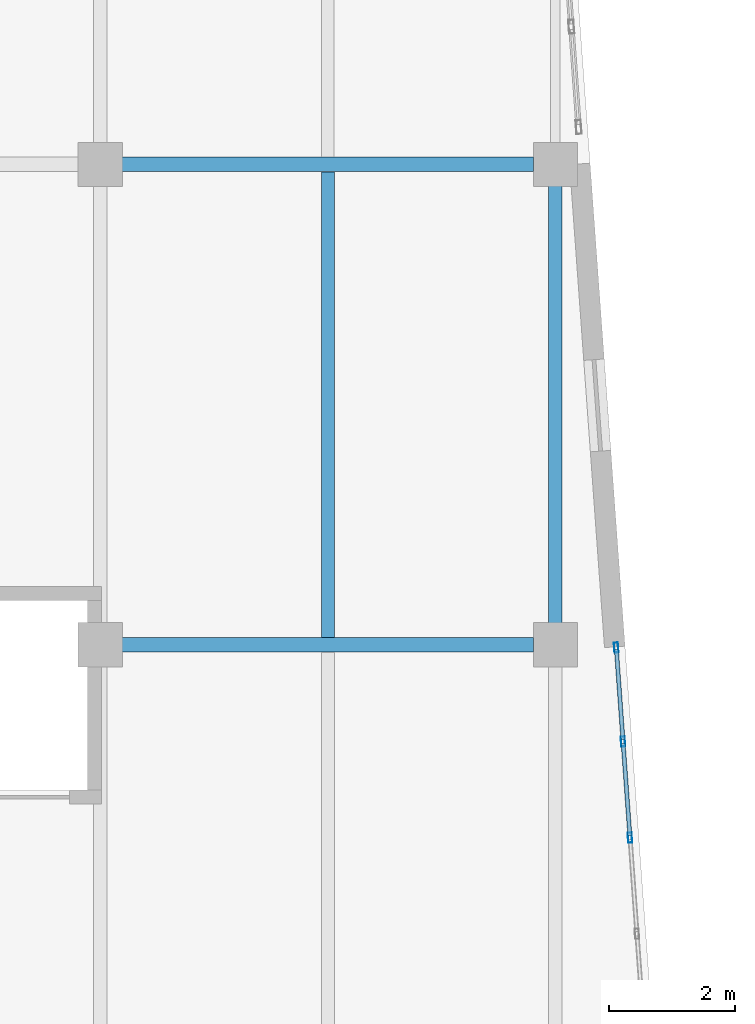
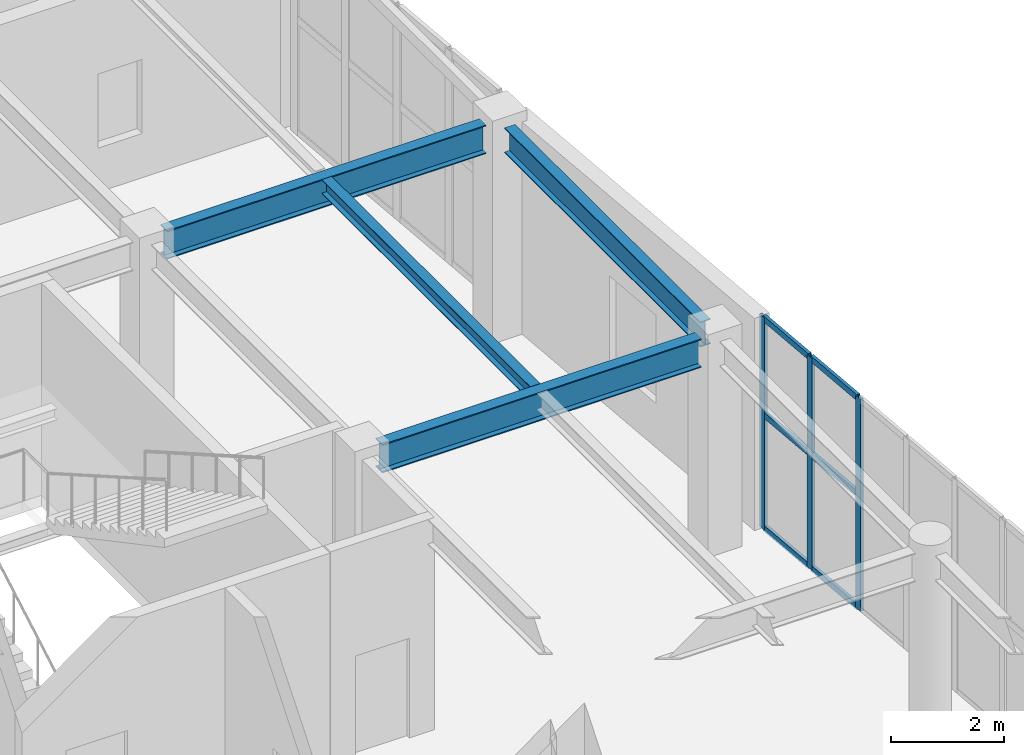
# One storey, part 27 of 72: 9 members, 4 beams, 1 element without a shape of its own.
"""IFC4 building model written with IfcOpenShell, lengths in metres."""

from ifc_helpers import new_model, si_unit, direction, frame, origin, origin_2d, place, context, subcontext, project, spatial, hollow_rectangle, i_section, extrude, material, layer, layer_set, material_profile, profile_set, type_object, element, aggregate, save


model = new_model("IFC4")

# Units and contexts
model_context = context("Model", 3, precision=1e-05, world=origin(), true_north=direction((0.0, 1.0)))
body_context = subcontext(model_context, "Body", "Model", "MODEL_VIEW")
ifc_project = project(units=[si_unit("LENGTHUNIT", "METRE"), si_unit("AREAUNIT", "SQUARE_METRE"), si_unit("VOLUMEUNIT", "CUBIC_METRE"), si_unit("PLANEANGLEUNIT", "RADIAN"), si_unit("MASSUNIT", "GRAM", prefix="KILO")], contexts=[model_context])

# Site, building, storey
site_placement = place(None, origin())
site = spatial("IfcSite", under=ifc_project, at=site_placement, CompositionType="ELEMENT")
building_placement = place(site_placement, origin())
building = spatial("IfcBuilding", under=site, at=building_placement, Name="Xicomal Pleat Aquarium", CompositionType="ELEMENT")
storey_placement = place(building_placement, frame((0.0, 0.0, 10.5)))
storey = spatial("IfcBuildingStorey", under=building, at=storey_placement, Name="L03", CompositionType="ELEMENT", Elevation=10.5)

# Beams
ifc_material_1 = material(Name="Structural steel A992 Gr 50", Category="steel")
ifc_material_profile_1 = material_profile(ifc_material_1, i_section(OverallWidth=0.202880859375, OverallDepth=0.302978515625, WebThickness=0.007568359375, FlangeThickness=0.01318359375, at=origin_2d()), Name="IR 310x60")
ifc_profile_set_1 = profile_set([ifc_material_profile_1], Name="Structural steel A992 Gr 50")
beam_type_1 = type_object("IfcBeamType", Name="BM-STL-IR310", PredefinedType="JOIST", material=ifc_profile_set_1)
beam_1_placement = place(storey_placement, frame((114.60009765625, 53.318115234375, 4.423583984375), z_axis=(0.0, 1.0, 0.0), x_axis=(-1.0, 0.0, 0.0)))
element("IfcBeam", 1, at=beam_1_placement, inside=storey, type_object=beam_type_1, Name="L03 framing beam FBJ-L03-14-H-1", PredefinedType="JOIST", context=body_context, shape_type="SweptSolid", body=[
    extrude(i_section(OverallWidth=0.202880859375, OverallDepth=0.302978515625, WebThickness=0.007568359375, FlangeThickness=0.01318359375, at=origin_2d()), origin(), (0.0, 0.0, 1.0), 7.36376953125),
])
ifc_material_2 = material(Name="Structural steel A992 Gr 50", Category="steel")
ifc_material_profile_2 = material_profile(ifc_material_2, i_section(OverallWidth=0.2119140625, OverallDepth=0.5439453125, WebThickness=0.01318359375, FlangeThickness=0.021240234375, at=origin_2d()), Name="IR 530x123")
ifc_profile_set_2 = profile_set([ifc_material_profile_2], Name="Structural steel A992 Gr 50")
beam_type_2 = type_object("IfcBeamType", Name="BM-STL-IR530", PredefinedType="BEAM", material=ifc_profile_set_2)
beam_2_placement = place(storey_placement, frame((118.199951171875, 53.544921875, 4.302978515625), z_axis=(0.0, 1.0, 0.0), x_axis=(-1.0, 0.0, 0.0)))
element("IfcBeam", 2, at=beam_2_placement, inside=storey, type_object=beam_type_2, Name="L03 framing beam FGY-L03-15-H-J", PredefinedType="BEAM", context=body_context, shape_type="SweptSolid", body=[
    extrude(i_section(OverallWidth=0.2119140625, OverallDepth=0.5439453125, WebThickness=0.01318359375, FlangeThickness=0.021240234375, at=origin_2d()), origin(), (0.0, 0.0, 1.0), 6.91015625),
])
ifc_material_3 = material(Name="Structural steel A992 Gr 50", Category="steel")
ifc_material_profile_3 = material_profile(ifc_material_3, i_section(OverallWidth=0.22998046875, OverallDepth=0.616943359375, WebThickness=0.01318359375, FlangeThickness=0.022216796875, at=origin_2d()), Name="IR 610x140")
ifc_profile_set_3 = profile_set([ifc_material_profile_3], Name="Structural steel A992 Gr 50")
beam_type_3 = type_object("IfcBeamType", Name="BM-STL-IR610", PredefinedType="BEAM", material=ifc_profile_set_3)
for number, where, z_axis, x_axis, name in (
    (3, (111.344970703125, 53.199951171875, 4.2666015625), (1.0, 0.0, 0.0), (0.0, 1.0, 0.0), "L03 framing beam FGX-L03-14-15-H"),
    (4, (111.344970703125, 60.800048828125, 4.2666015625), (1.0, 0.0, 0.0), (0.0, 1.0, 0.0), "L03 framing beam FGX-L03-14-15-J"),
):
    element("IfcBeam", number, at=place(storey_placement, frame(where, z_axis=z_axis, x_axis=x_axis)), inside=storey, type_object=beam_type_3, Name=name, PredefinedType="BEAM", context=body_context, shape_type="SweptSolid", body=[
        extrude(i_section(OverallWidth=0.22998046875, OverallDepth=0.616943359375, WebThickness=0.01318359375, FlangeThickness=0.022216796875, at=origin_2d()), origin(), (0.0, 0.0, 1.0), 6.510009765625),
    ])

# Curtain wall, members
ifc_material_4 = material(Name="Bronze anodized aluminium 6063-T6", Category="aluminium")
ifc_layer = layer(ifc_material_4, 0.159912109375)
ifc_layer_set = layer_set([ifc_layer], Name="Bronze anodized aluminium 6063-T6")
curtain_wall_type = type_object("IfcCurtainWallType", Name="CW-SYS-03", PredefinedType="NOTDEFINED", material=ifc_layer_set)
curtain_wall_placement = place(storey_placement, origin())
curtain_wall = element("IfcCurtainWall", 5, at=curtain_wall_placement, inside=storey, type_object=curtain_wall_type, Name="L03 unitised curtain wall CW-L03-159", PredefinedType="NOTDEFINED")
ifc_material_5 = material(Name="Bronze anodized aluminium 6063-T6", Category="aluminium")
ifc_material_profile_4 = material_profile(ifc_material_5, hollow_rectangle(XDim=0.06494140625, YDim=0.159912109375, WallThickness=0.00390625, at=origin_2d()), Name="ALU MULL 65x160")
ifc_profile_set_4 = profile_set([ifc_material_profile_4], Name="Bronze anodized aluminium 6063-T6")
member_type_1 = type_object("IfcMemberType", Name="CWM-65x160", PredefinedType="MULLION", material=ifc_profile_set_4)
member_1_placement = place(storey_placement, frame((119.162353515625, 53.15771484375, 0.0), z_axis=(0.0, 0.0, 1.0), x_axis=(0.997391646685, 0.072179658646, 0.0)))
member_1 = element("IfcMember", 6, at=member_1_placement, type_object=member_type_1, Name="CW-03 mullion 1", PredefinedType="MULLION", context=body_context, shape_type="SweptSolid", body=[
    extrude(hollow_rectangle(XDim=0.06494140625, YDim=0.159912109375, WallThickness=0.00390625, at=origin_2d()), origin(), (0.0, 0.0, 1.0), 4.574951171875),
])
member_2_placement = place(storey_placement, frame((119.27001953125, 51.669921875, 0.0), z_axis=(0.0, 0.0, 1.0), x_axis=(0.997391646685, 0.072179658646, 0.0)))
member_2 = element("IfcMember", 7, at=member_2_placement, type_object=member_type_1, Name="CW-03 mullion 2", PredefinedType="MULLION", context=body_context, shape_type="SweptSolid", body=[
    extrude(hollow_rectangle(XDim=0.06494140625, YDim=0.159912109375, WallThickness=0.00390625, at=origin_2d()), origin(), (0.0, 0.0, 1.0), 4.574951171875),
])
member_3_placement = place(storey_placement, frame((119.3798828125, 50.14990234375, 0.0), z_axis=(0.0, 0.0, 1.0), x_axis=(0.997391646685, 0.072179658646, 0.0)))
member_3 = element("IfcMember", 8, at=member_3_placement, type_object=member_type_1, Name="CW-03 mullion 3", PredefinedType="MULLION", context=body_context, shape_type="SweptSolid", body=[
    extrude(hollow_rectangle(XDim=0.06494140625, YDim=0.159912109375, WallThickness=0.00390625, at=origin_2d()), origin(), (0.0, 0.0, 1.0), 4.574951171875),
])
ifc_material_6 = material(Name="Bronze anodized aluminium 6063-T6", Category="aluminium")
ifc_material_profile_5 = material_profile(ifc_material_6, hollow_rectangle(XDim=0.06494140625, YDim=0.1298828125, WallThickness=0.00390625, at=origin_2d()), Name="ALU TRAN 65x130")
ifc_profile_set_5 = profile_set([ifc_material_profile_5], Name="Bronze anodized aluminium 6063-T6")
member_type_2 = type_object("IfcMemberType", Name="CWT-65x130", PredefinedType="USERDEFINED", material=ifc_profile_set_5)
member_4_placement = place(storey_placement, frame((119.164794921875, 53.125244140625, 0.032470703125), z_axis=(0.072049732011, -0.997401040764, 0.0), x_axis=(0.997401040764, 0.072049732011, 0.0)))
member_4 = element("IfcMember", 9, at=member_4_placement, type_object=member_type_2, Name="CW-03 transom 1.1", ObjectType="TRANSOM", PredefinedType="USERDEFINED", context=body_context, shape_type="SweptSolid", body=[
    extrude(hollow_rectangle(XDim=0.06494140625, YDim=0.1298828125, WallThickness=0.00390625, at=origin_2d()), origin(), (0.0, 0.0, 1.0), 1.426513671875),
])
member_5_placement = place(storey_placement, frame((119.164794921875, 53.125244140625, 2.469970703125), z_axis=(0.072049732011, -0.997401040764, 0.0), x_axis=(0.997401040764, 0.072049732011, 0.0)))
member_5 = element("IfcMember", 10, at=member_5_placement, type_object=member_type_2, Name="CW-03 transom 1.2", ObjectType="TRANSOM", PredefinedType="USERDEFINED", context=body_context, shape_type="SweptSolid", body=[
    extrude(hollow_rectangle(XDim=0.06494140625, YDim=0.1298828125, WallThickness=0.00390625, at=origin_2d()), origin(), (0.0, 0.0, 1.0), 1.426513671875),
])
member_6_placement = place(storey_placement, frame((119.164794921875, 53.125244140625, 4.54248046875), z_axis=(0.072049732011, -0.997401040764, 0.0), x_axis=(0.997401040764, 0.072049732011, 0.0)))
member_6 = element("IfcMember", 11, at=member_6_placement, type_object=member_type_2, Name="CW-03 transom 1.3", ObjectType="TRANSOM", PredefinedType="USERDEFINED", context=body_context, shape_type="SweptSolid", body=[
    extrude(hollow_rectangle(XDim=0.06494140625, YDim=0.1298828125, WallThickness=0.00390625, at=origin_2d()), origin(), (0.0, 0.0, 1.0), 1.426513671875),
])
member_7_placement = place(storey_placement, frame((119.272216796875, 51.6376953125, 0.032470703125), z_axis=(0.072281497284, -0.997384271558, 0.0), x_axis=(0.997384271558, 0.072281497284, 0.0)))
member_7 = element("IfcMember", 12, at=member_7_placement, type_object=member_type_2, Name="CW-03 transom 2.1", ObjectType="TRANSOM", PredefinedType="USERDEFINED", context=body_context, shape_type="SweptSolid", body=[
    extrude(hollow_rectangle(XDim=0.06494140625, YDim=0.1298828125, WallThickness=0.00390625, at=origin_2d()), origin(), (0.0, 0.0, 1.0), 1.459228515625),
])
member_8_placement = place(storey_placement, frame((119.272216796875, 51.6376953125, 2.469970703125), z_axis=(0.072281497284, -0.997384271558, 0.0), x_axis=(0.997384271558, 0.072281497284, 0.0)))
member_8 = element("IfcMember", 13, at=member_8_placement, type_object=member_type_2, Name="CW-03 transom 2.2", ObjectType="TRANSOM", PredefinedType="USERDEFINED", context=body_context, shape_type="SweptSolid", body=[
    extrude(hollow_rectangle(XDim=0.06494140625, YDim=0.1298828125, WallThickness=0.00390625, at=origin_2d()), origin(), (0.0, 0.0, 1.0), 1.459228515625),
])
member_9_placement = place(storey_placement, frame((119.272216796875, 51.6376953125, 4.54248046875), z_axis=(0.072281497284, -0.997384271558, 0.0), x_axis=(0.997384271558, 0.072281497284, 0.0)))
member_9 = element("IfcMember", 14, at=member_9_placement, type_object=member_type_2, Name="CW-03 transom 2.3", ObjectType="TRANSOM", PredefinedType="USERDEFINED", context=body_context, shape_type="SweptSolid", body=[
    extrude(hollow_rectangle(XDim=0.06494140625, YDim=0.1298828125, WallThickness=0.00390625, at=origin_2d()), origin(), (0.0, 0.0, 1.0), 1.459228515625),
])
aggregate(curtain_wall, [member_1, member_2, member_3, member_4, member_5, member_6, member_7, member_8, member_9])

save(model, "model.ifc")
